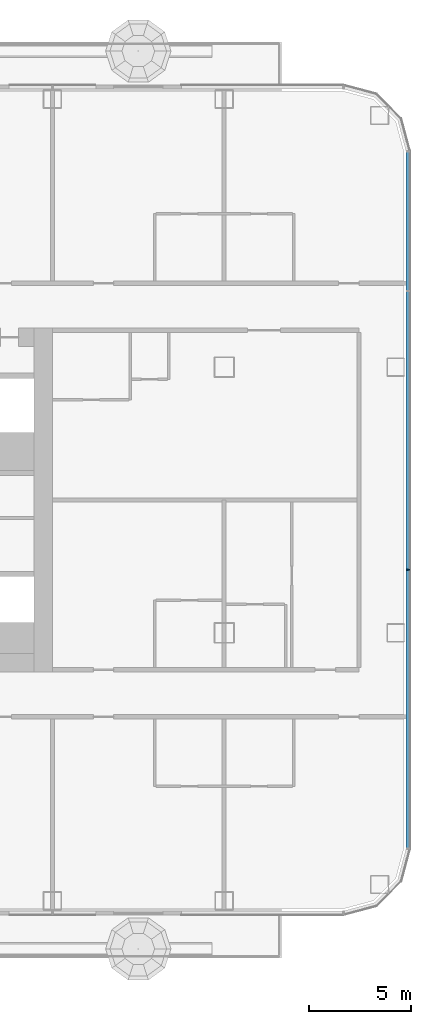
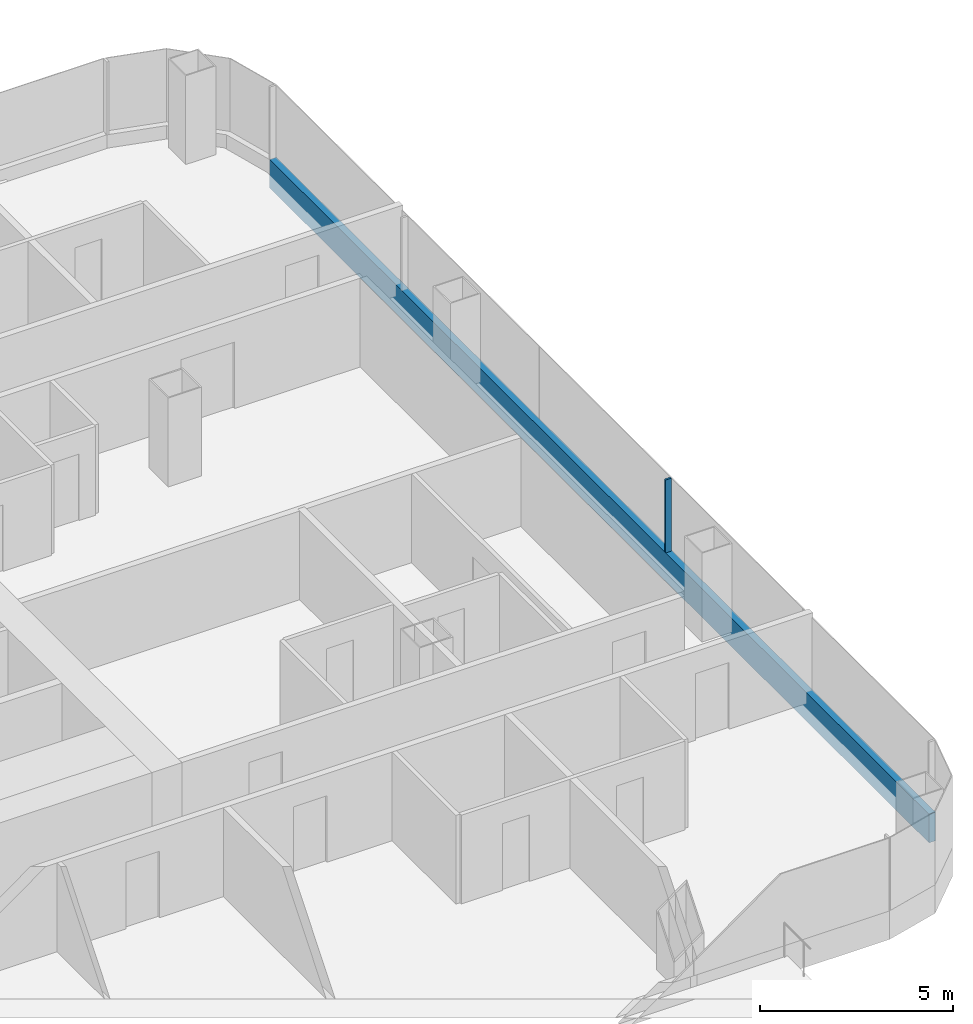
# One storey, part 8 of 35: 2 members, 1 element without a shape of its own.
"""IFC4 building model written with IfcOpenShell, lengths in metres."""

from ifc_helpers import new_model, si_unit, direction, frame, origin, origin_2d, place, context, subcontext, project, spatial, rectangle, extrude, material, layer, layer_set, material_profile, profile_set, type_object, element, aggregate, save


model = new_model("IFC4")

# Units and contexts
model_context = context("Model", 3, precision=1e-05, world=origin(), true_north=direction((0.0, 1.0)))
body_context = subcontext(model_context, "Body", "Model", "MODEL_VIEW")
ifc_project = project(units=[si_unit("LENGTHUNIT", "METRE"), si_unit("AREAUNIT", "SQUARE_METRE"), si_unit("VOLUMEUNIT", "CUBIC_METRE"), si_unit("PLANEANGLEUNIT", "RADIAN"), si_unit("MASSUNIT", "GRAM", prefix="KILO")], contexts=[model_context])

# Site, building, storey
site_placement = place(None, origin())
site = spatial("IfcSite", under=ifc_project, at=site_placement, CompositionType="ELEMENT")
building_placement = place(site_placement, origin())
building = spatial("IfcBuilding", under=site, at=building_placement, Name="Hakoniwa Tower and Hamabe Station Hall", CompositionType="ELEMENT")
storey_placement = place(building_placement, frame((0.0, 0.0, 51.800048828125)))
storey = spatial("IfcBuildingStorey", under=building, at=storey_placement, Name="L14", CompositionType="ELEMENT", Elevation=51.800048828125)

# Curtain wall, members
ifc_material_1 = material(Name="Dark low-e laminated glass", Category="glass")
ifc_layer = layer(ifc_material_1, 0.199951171875)
ifc_layer_set = layer_set([ifc_layer], Name="CW-1 UNITISED GUEST")
curtain_wall_type = type_object("IfcCurtainWallType", Name="CW-1 UNITISED GUEST", PredefinedType="NOTDEFINED", material=ifc_layer_set)
curtain_wall_placement = place(storey_placement, origin())
curtain_wall = element("IfcCurtainWall", 1, at=curtain_wall_placement, inside=storey, type_object=curtain_wall_type, Name="CW-1 curtain wall", PredefinedType="NOTDEFINED")
ifc_material_2 = material(Name="Aluminium 6063-T5 black anodised", Category="aluminium")
ifc_material_profile_1 = material_profile(ifc_material_2, rectangle(XDim=0.199951171875, YDim=0.89990234375, at=origin_2d()), Name="CW SLAB-EDGE BAND 900X200")
ifc_profile_set_1 = profile_set([ifc_material_profile_1], Name="Aluminium 6063-T5 black anodised")
member_type_1 = type_object("IfcMemberType", Name="CW SLAB-EDGE BAND 900X200", PredefinedType="USERDEFINED", material=ifc_profile_set_1)
member_1_placement = place(storey_placement, frame((51.0, -17.03955078125, -0.10009765625), z_axis=(0.0, 1.0, 0.0), x_axis=(-1.0, 0.0, 0.0)))
member_1 = element("IfcMember", 2, at=member_1_placement, type_object=member_type_1, Name="CW-1 transom", ObjectType="TRANSOM", PredefinedType="USERDEFINED", context=body_context, shape_type="SweptSolid", body=[
    extrude(rectangle(XDim=0.199951171875, YDim=0.89990234375, at=origin_2d()), origin(), (0.0, 0.0, 1.0), 34.0791015625),
])
ifc_material_3 = material(Name="Aluminium 6063-T5 black anodised", Category="aluminium")
ifc_material_profile_2 = material_profile(ifc_material_3, rectangle(XDim=0.06005859375, YDim=0.179931640625, at=origin_2d()), Name="CW-1 MULLION 60X180")
ifc_profile_set_2 = profile_set([ifc_material_profile_2], Name="Aluminium 6063-T5 black anodised")
member_type_2 = type_object("IfcMemberType", Name="CW-1 MULLION 60X180", PredefinedType="MULLION", material=ifc_profile_set_2)
member_2_placement = place(storey_placement, frame((50.98193359375, -3.407958984375, 0.349853515625), z_axis=(0.0, 0.0, 1.0), x_axis=(0.0, 1.0, 0.0)))
member_2 = element("IfcMember", 3, at=member_2_placement, type_object=member_type_2, Name="CW-1 mullion", PredefinedType="MULLION", context=body_context, shape_type="SweptSolid", body=[
    extrude(rectangle(XDim=0.06005859375, YDim=0.179931640625, at=origin_2d()), origin(), (0.0, 0.0, 1.0), 2.300048828125),
])
aggregate(curtain_wall, [member_2, member_1])

save(model, "model.ifc")
